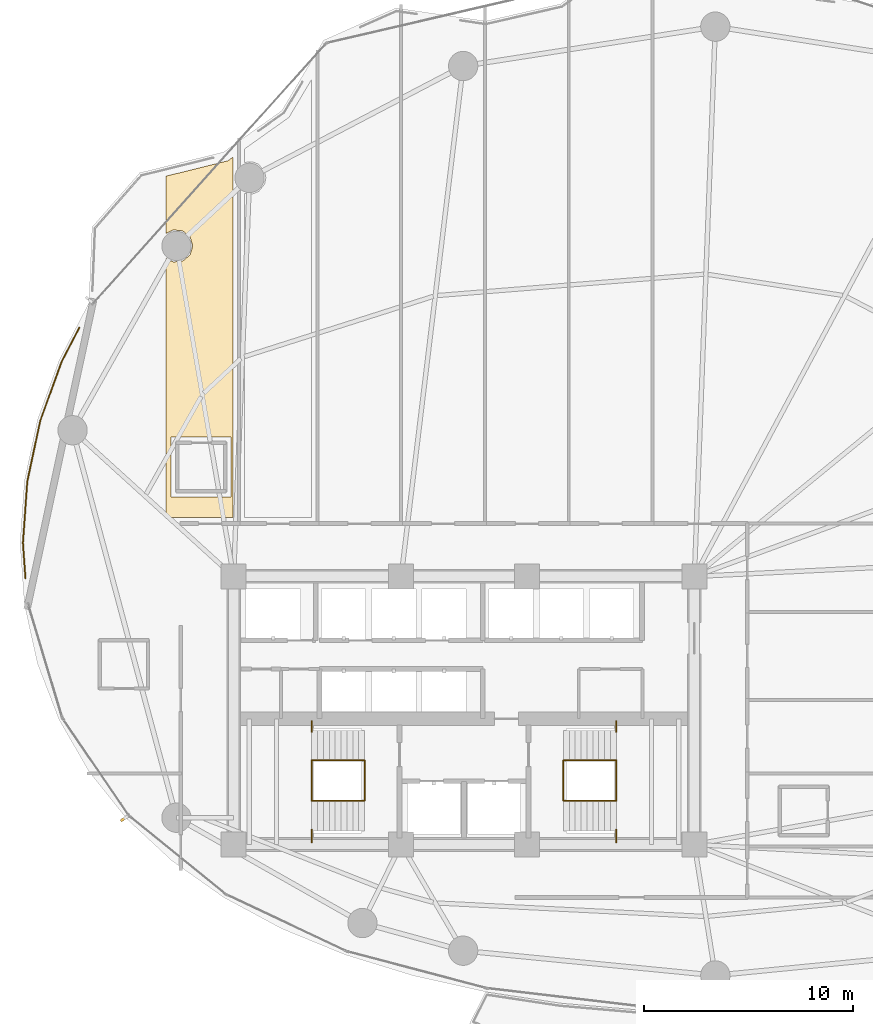
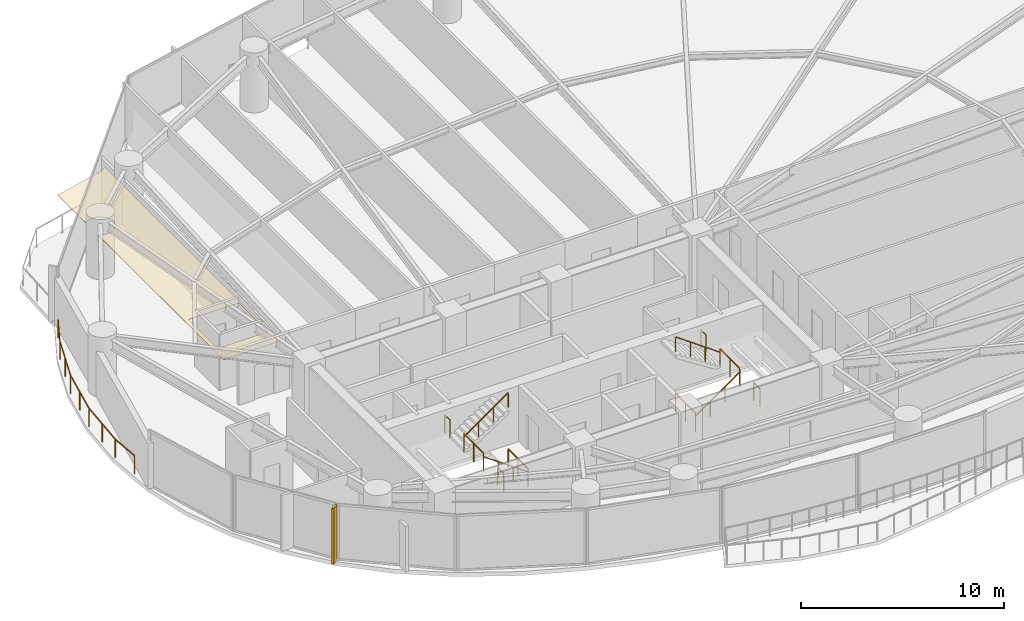
# One storey, part 29 of 31: 13 railings, 1 covering, 1 shading device.
"""IFC4 building model written with IfcOpenShell, lengths in metres."""

import ifcopenshell
import ifcopenshell.guid

model = None  # the IFC model being written
_history = None  # IfcOwnerHistory: only IFC2X3 demands one
_inside = {}  # id of a spatial element -> (the spatial element, [elements in it])
_under = {}  # id of a project, library or spatial element -> (it, [spatial elements below it])
_declared = {}  # id of a project -> (the project, [libraries it declares])
_typed = {}  # id of a type object -> (the type object, [elements of that type])
_made_of = {}  # id of a material, layer set ... -> (it, [elements and type objects made of it])


def new_model(schema):
    """Start an empty IFC model of exactly this schema.

    Asked for "IFC4X3", IfcOpenShell would pick the latest addendum, in which some entities
    have other attributes; the version numbers below select the first issue.
    IFC2X3 requires an IfcOwnerHistory on every rooted entity: one is made here for all.
    """
    global model, _history
    if schema == "IFC4X3":
        model = ifcopenshell.file(schema_version=(4, 3, 0, 0))
    else:
        model = ifcopenshell.file(schema=schema)
    _inside.clear()
    _under.clear()
    _declared.clear()
    _typed.clear()
    _made_of.clear()
    _history = None
    if model.schema == "IFC2X3":
        org = make("IfcOrganization", Name="unknown")
        user = make(
            "IfcPersonAndOrganization",
            ThePerson=make("IfcPerson", FamilyName="unknown"),
            TheOrganization=org,
        )
        app = make(
            "IfcApplication",
            ApplicationDeveloper=org,
            Version="unknown",
            ApplicationFullName="unknown",
            ApplicationIdentifier="unknown",
        )
        _history = make(
            "IfcOwnerHistory",
            OwningUser=user,
            OwningApplication=app,
            ChangeAction="ADDED",
            CreationDate=0,
        )
    return model


def make(cls, **values):
    """One entity of the class cls with the attributes given. An attribute that is None is left unset."""
    return model.create_entity(
        cls, **{name: value for name, value in values.items() if value is not None}
    )


def rooted(cls, **values):
    """An entity with a GlobalId (a new one), such as an element, a storey or a relation."""
    return make(cls, GlobalId=ifcopenshell.guid.new(), OwnerHistory=_history, **values)


def si_unit(unit_type, name, prefix=None):
    """IfcSIUnit, for example si_unit("LENGTHUNIT", "METRE", prefix="MILLI")."""
    return make("IfcSIUnit", UnitType=unit_type, Prefix=prefix, Name=name)


def assignment(units):
    """IfcUnitAssignment: the units of a project."""
    return None if units is None else make("IfcUnitAssignment", Units=units)


def point(xyz):
    """IfcCartesianPoint."""
    return None if xyz is None else make("IfcCartesianPoint", Coordinates=xyz)


def direction(xyz):
    """IfcDirection."""
    return None if xyz is None else make("IfcDirection", DirectionRatios=xyz)


def frame(location, z_axis=None, x_axis=None):
    """IfcAxis2Placement3D, a coordinate frame: its origin and axes. An axis left out is left unset."""
    return make(
        "IfcAxis2Placement3D",
        Location=point(location),
        Axis=direction(z_axis),
        RefDirection=direction(x_axis),
    )


def frame_2d(location, x_axis=None):
    """IfcAxis2Placement2D, a coordinate frame in the plane: its origin and x axis."""
    return make(
        "IfcAxis2Placement2D", Location=point(location), RefDirection=direction(x_axis)
    )


def origin():
    """The frame at (0, 0, 0) with its axes left unset."""
    return frame((0.0, 0.0, 0.0))


def origin_2d():
    """The frame at (0, 0) in the plane with its x axis left unset."""
    return frame_2d((0.0, 0.0))


def place(relative_to, where):
    """IfcLocalPlacement: puts the frame where relative to a parent placement (None: the world)."""
    return make(
        "IfcLocalPlacement", PlacementRelTo=relative_to, RelativePlacement=where
    )


def context(
    kind, dimensions, precision=None, world=None, true_north=None, identifier=None
):
    """IfcGeometricRepresentationContext, for example the 3D "Model" context."""
    return make(
        "IfcGeometricRepresentationContext",
        ContextIdentifier=identifier,
        ContextType=kind,
        CoordinateSpaceDimension=dimensions,
        Precision=precision,
        WorldCoordinateSystem=world,
        TrueNorth=true_north,
    )


def subcontext(parent, identifier, kind, view, scale=None):
    """IfcGeometricRepresentationSubContext, for example "Body" below "Model"."""
    return make(
        "IfcGeometricRepresentationSubContext",
        ContextIdentifier=identifier,
        ContextType=kind,
        ParentContext=parent,
        TargetScale=scale,
        TargetView=view,
    )


def project(units=None, contexts=None):
    """IfcProject with its units and contexts."""
    return rooted(
        "IfcProject",
        Name="project",
        RepresentationContexts=contexts,
        UnitsInContext=assignment(units),
    )


def spatial(cls, under=None, at=None, **own):
    """A site, building, storey or space (cls), placed at a placement, below another one or the project."""
    s = rooted(cls, ObjectPlacement=at, **own)
    if under is not None:
        _under.setdefault(under.id(), (under, []))[1].append(s)
    return s


def polyline(points):
    """IfcPolyline through the points."""
    return make("IfcPolyline", Points=[point(p) for p in points])


def profile(cls, at=None, kind="AREA", **sizes):
    """A parametric profile (cls). Its sizes go by their IFC names, for example OverallWidth=200.0."""
    return make(cls, ProfileType=kind, Position=at, **sizes)


def rectangle(**sizes):
    """IfcRectangleProfileDef."""
    return profile("IfcRectangleProfileDef", **sizes)


def outline(outer, holes=None, kind="AREA"):
    """IfcArbitraryClosedProfileDef: a profile drawn as a closed curve; with holes, ...WithVoids."""
    if holes is None:
        return make("IfcArbitraryClosedProfileDef", ProfileType=kind, OuterCurve=outer)
    return make(
        "IfcArbitraryProfileDefWithVoids",
        ProfileType=kind,
        OuterCurve=outer,
        InnerCurves=holes,
    )


def extrude(swept, where, along, depth):
    """IfcExtrudedAreaSolid: the profile swept, set in the frame where, extruded along a direction by depth."""
    return make(
        "IfcExtrudedAreaSolid",
        SweptArea=swept,
        Position=where,
        ExtrudedDirection=direction(along),
        Depth=depth,
    )


def shape(context_of_items, identifier, shape_type, items):
    """IfcShapeRepresentation: the items that make up one representation, for example the "Body"."""
    return make(
        "IfcShapeRepresentation",
        ContextOfItems=context_of_items,
        RepresentationIdentifier=identifier,
        RepresentationType=shape_type,
        Items=items,
    )


def material(Name=None, Category=None):
    """IfcMaterial."""
    return make("IfcMaterial", Name=Name, Category=Category)


def layer(
    of_material, thickness, ventilated=None, Name=None, Category=None, Priority=None
):
    """IfcMaterialLayer: one layer of a wall or slab, of a material (None: an air gap)."""
    return make(
        "IfcMaterialLayer",
        Material=of_material,
        LayerThickness=thickness,
        IsVentilated=ventilated,
        Name=Name,
        Category=Category,
        Priority=Priority,
    )


def layer_set(layers, Name=None):
    """IfcMaterialLayerSet."""
    return make("IfcMaterialLayerSet", MaterialLayers=layers, LayerSetName=Name)


def made_of(thing, what):
    """Note that an element or type object is made of a material, layer set ...; save() writes the relation."""
    if what is not None:
        _made_of.setdefault(what.id(), (what, []))[1].append(thing)
    return thing


def type_object(cls, material=None, **own):
    """A type object (cls), such as IfcWallType, which elements share."""
    return made_of(rooted(cls, **own), material)


def element(
    cls,
    number,
    at=None,
    inside=None,
    cuts=None,
    type_object=None,
    material=None,
    context=None,
    identifier="Body",
    shape_type=None,
    held_by="IfcProductDefinitionShape",
    body=None,
    shapes=None,
    **own,
):
    """One element of the class cls, such as IfcWall. Its Tag is "e" and its number.

    at: its placement. inside: the storey or other place that contains it. cuts: it is an
    opening in that element (IfcRelVoidsElement). A single representation is given by context,
    identifier, shape_type and body (its items); several are given by shapes. held_by: the class
    of the entity that holds the representations. save() writes the other relations.
    """
    e = rooted(cls, Tag="e%d" % number, ObjectPlacement=at, **own)
    if body is not None:
        shapes = [shape(context, identifier, shape_type, body)]
    if shapes is not None:
        e.Representation = make(held_by, Representations=shapes)
    if inside is not None:
        _inside.setdefault(inside.id(), (inside, []))[1].append(e)
    if cuts is not None:
        rooted(
            "IfcRelVoidsElement", RelatingBuildingElement=cuts, RelatedOpeningElement=e
        )
    if type_object is not None:
        _typed.setdefault(type_object.id(), (type_object, []))[1].append(e)
    return made_of(e, material)


def aggregate(whole, parts):
    """IfcRelAggregates: a whole, such as a stair, and the parts it consists of."""
    return rooted("IfcRelAggregates", RelatingObject=whole, RelatedObjects=parts)


def save(model, path):
    """Write the relations noted so far, then the file.

    IfcRelAggregates (storeys below a building ...), IfcRelContainedInSpatialStructure (elements
    in a storey), IfcRelDefinesByType, IfcRelAssociatesMaterial and IfcRelDeclares: one each for
    every whole, place, type object, material and project.
    """
    for whole, parts in _under.values():
        aggregate(whole, parts)
    for where, things in _inside.values():
        rooted(
            "IfcRelContainedInSpatialStructure",
            RelatedElements=things,
            RelatingStructure=where,
        )
    for kind, things in _typed.values():
        rooted("IfcRelDefinesByType", RelatedObjects=things, RelatingType=kind)
    for what, things in _made_of.values():
        rooted("IfcRelAssociatesMaterial", RelatedObjects=things, RelatingMaterial=what)
    for by, libraries in _declared.values():
        rooted("IfcRelDeclares", RelatingContext=by, RelatedDefinitions=libraries)
    model.write(path)


model = new_model("IFC4")

# Units and contexts
model_context = context("Model", 3, precision=1e-05, world=origin(), true_north=direction((0.0, 1.0)))
body_context = subcontext(model_context, "Body", "Model", "MODEL_VIEW")
ifc_project = project(units=[si_unit("LENGTHUNIT", "METRE"), si_unit("AREAUNIT", "SQUARE_METRE"), si_unit("VOLUMEUNIT", "CUBIC_METRE"), si_unit("PLANEANGLEUNIT", "RADIAN"), si_unit("MASSUNIT", "GRAM", prefix="KILO")], contexts=[model_context])

# Site, building, storey
site_placement = place(None, origin())
site = spatial("IfcSite", under=ifc_project, at=site_placement, CompositionType="ELEMENT")
building_placement = place(site_placement, origin())
building = spatial("IfcBuilding", under=site, at=building_placement, Name="Kazevale Care Tower and Concert Hall", CompositionType="ELEMENT")
storey_placement = place(building_placement, frame((0.0, 0.0, 78.0)))
storey = spatial("IfcBuildingStorey", under=building, at=storey_placement, Name="L20", CompositionType="ELEMENT", Elevation=78.0)

# Covering
ifc_material_1 = material(Name="Acoustic Plaster and Hinoki Wood", Category="wood")
ifc_layer = layer(ifc_material_1, 0.0400390625)
ifc_layer_set = layer_set([ifc_layer], Name="Acoustic Plaster and Hinoki Wood")
covering_type = type_object("IfcCoveringType", Name="Acoustic Perforated Wood-Gypsum Ceiling", PredefinedType="CEILING", material=ifc_layer_set)
covering_placement = place(storey_placement, frame((0.0, 0.0, 2.7099609375)))
element("IfcCovering", 1, at=covering_placement, inside=storey, type_object=covering_type, Name="clg:L20:1", PredefinedType="CEILING", context=body_context, shape_type="SweptSolid", body=[
    extrude(outline(polyline([(21.969970703125, 56.419921875), (21.969970703125, 39.205078125), (18.780029296875, 39.205078125), (18.780029296875, 51.577880859375), (19.117919921875, 51.4150390625), (19.568115234375, 51.458984375), (19.9189453125, 51.7470703125), (20.050048828125, 52.179931640625), (19.9189453125, 52.613037109375), (19.568115234375, 52.90087890625), (19.117919921875, 52.945068359375), (18.780029296875, 52.781982421875), (18.780029296875, 55.513916015625), (21.718994140625, 56.241943359375), (21.969970703125, 56.419921875)]), holes=[polyline([(19.02001953125, 43.054931640625), (19.02001953125, 40.195068359375), (21.8798828125, 40.195068359375), (21.8798828125, 43.054931640625), (19.02001953125, 43.054931640625)])]), origin(), (0.0, 0.0, 1.0), 0.0400390625),
])

# Railings
ifc_material_2 = material(Name="Anodised Bronze Aluminium and Laminated Glass", Category="aluminium")
railing_type_1 = type_object("IfcRailingType", Name="Balcony and Terrace Balustrade 1120", PredefinedType="BALUSTRADE", material=ifc_material_2)
railing_1_placement = place(storey_placement, frame((12.06005859375, 36.31103515625, 0.0)))
element("IfcRailing", 2, at=railing_1_placement, inside=storey, type_object=railing_type_1, Name="rail:L20:perim:1", PredefinedType="BALUSTRADE", context=body_context, shape_type="SweptSolid", body=[
    extrude(rectangle(XDim=0.048095703125, YDim=0.048095703125, at=origin_2d()), frame((0.0, 0.0, 1.09619140625), z_axis=(-0.070939644406, 0.997480609762, 0.0), x_axis=(-0.997480609762, -0.070939644406, 0.0)), (0.0, 0.0, 1.0), 1.693115234375),
    extrude(rectangle(XDim=0.048095703125, YDim=0.048095703125, at=origin_2d()), frame((-0.1201171875, 1.68896484375, 1.09619140625), z_axis=(0.070669368456, 0.997499794668, 0.0), x_axis=(-0.997499794668, 0.070669368456, 0.0)), (0.0, 0.0, 1.0), 2.943359375),
    extrude(rectangle(XDim=0.048095703125, YDim=0.048095703125, at=origin_2d()), frame((0.087890625, 4.625, 1.09619140625), z_axis=(0.208798068262, 0.977958775558, 0.0), x_axis=(-0.977958775558, 0.208798068262, 0.0)), (0.0, 0.0, 1.0), 2.96533203125),
    extrude(rectangle(XDim=0.048095703125, YDim=0.048095703125, at=origin_2d()), frame((0.70703125, 7.52490234375, 1.09619140625), z_axis=(0.340817262657, 0.940129562069, 0.0), x_axis=(-0.940129562069, 0.340817262657, 0.0)), (0.0, 0.0, 1.0), 3.007080078125),
    extrude(rectangle(XDim=0.048095703125, YDim=0.048095703125, at=origin_2d()), frame((1.73193359375, 10.35205078125, 1.09619140625), z_axis=(0.461849030606, 0.886958551979, 0.0), x_axis=(-0.886958551979, 0.461849030606, 0.0)), (0.0, 0.0, 1.0), 1.827392578125),
    extrude(rectangle(XDim=0.0419921875, YDim=0.0419921875, at=origin_2d()), origin(), (0.0, 0.0, 1.0), 1.072021484375),
    extrude(rectangle(XDim=0.0419921875, YDim=0.0419921875, at=origin_2d()), frame((-0.1201171875, 1.68896484375, 0.0)), (0.0, 0.0, 1.0), 1.072021484375),
    extrude(rectangle(XDim=0.0419921875, YDim=0.0419921875, at=origin_2d()), frame((-0.01611328125, 3.156982421875, 0.0)), (0.0, 0.0, 1.0), 1.072021484375),
    extrude(rectangle(XDim=0.0419921875, YDim=0.0419921875, at=origin_2d()), frame((0.087890625, 4.625, 0.0)), (0.0, 0.0, 1.0), 1.072021484375),
    extrude(rectangle(XDim=0.0419921875, YDim=0.0419921875, at=origin_2d()), frame((0.3974609375, 6.074951171875, 0.0)), (0.0, 0.0, 1.0), 1.072021484375),
    extrude(rectangle(XDim=0.0419921875, YDim=0.0419921875, at=origin_2d()), frame((0.70703125, 7.52490234375, 0.0)), (0.0, 0.0, 1.0), 1.072021484375),
    extrude(rectangle(XDim=0.0419921875, YDim=0.0419921875, at=origin_2d()), frame((1.219482421875, 8.9384765625, 0.0)), (0.0, 0.0, 1.0), 1.072021484375),
    extrude(rectangle(XDim=0.0419921875, YDim=0.0419921875, at=origin_2d()), frame((1.73193359375, 10.35205078125, 0.0)), (0.0, 0.0, 1.0), 1.072021484375),
    extrude(rectangle(XDim=0.0419921875, YDim=0.0419921875, at=origin_2d()), frame((2.575927734375, 11.972900390625, 0.0)), (0.0, 0.0, 1.0), 1.072021484375),
])
ifc_material_3 = material(Name="Stainless Steel 316", Category="steel")
railing_type_2 = type_object("IfcRailingType", Name="Stair Pitch Handrail 920", PredefinedType="HANDRAIL", material=ifc_material_3)
railing_2_placement = place(storey_placement, frame((28.25, 25.679931640625, 0.0)))
element("IfcRailing", 3, at=railing_2_placement, inside=storey, type_object=railing_type_2, Name="stair:L20:ST1:hr1", PredefinedType="HANDRAIL", context=body_context, shape_type="SweptSolid", body=[
    extrude(rectangle(XDim=0.048095703125, YDim=0.048095703125, at=origin_2d()), frame((0.0, 0.0, 0.89599609375), z_axis=(-0.813728144527, 0.0, 0.581245650998), x_axis=(0.0, -1.0, 0.0)), (0.0, 0.0, 1.0), 3.096923828125),
    extrude(rectangle(XDim=0.0419921875, YDim=0.0419921875, at=origin_2d()), origin(), (0.0, 0.0, 1.0), 0.871826171875),
    extrude(rectangle(XDim=0.0419921875, YDim=0.0419921875, at=origin_2d()), frame((-0.840087890625, 0.0, 0.60009765625)), (0.0, 0.0, 1.0), 0.871826171875),
    extrude(rectangle(XDim=0.0419921875, YDim=0.0419921875, at=origin_2d()), frame((-1.679931640625, 0.0, 1.199951171875)), (0.0, 0.0, 1.0), 0.871826171875),
    extrude(rectangle(XDim=0.0419921875, YDim=0.0419921875, at=origin_2d()), frame((-2.52001953125, 0.0, 1.800048828125)), (0.0, 0.0, 1.0), 0.871826171875),
])
for number, where, name in (
    (4, (25.72998046875, 27.6201171875, 1.800048828125), "stair:L20:ST1:hr2"),
    (5, (37.75, 25.679931640625, 0.0), "stair:L20:ST2:hr1"),
):
    element("IfcRailing", number, at=place(storey_placement, frame(where)), inside=storey, type_object=railing_type_2, Name=name, PredefinedType="HANDRAIL", context=body_context, shape_type="SweptSolid", body=[
        extrude(rectangle(XDim=0.048095703125, YDim=0.048095703125, at=origin_2d()), frame((0.0, 0.0, 0.89599609375), z_axis=(0.813728144527, 0.0, 0.581245650998), x_axis=(0.0, 1.0, 0.0)), (0.0, 0.0, 1.0), 3.096923828125),
        extrude(rectangle(XDim=0.0419921875, YDim=0.0419921875, at=origin_2d()), origin(), (0.0, 0.0, 1.0), 0.871826171875),
        extrude(rectangle(XDim=0.0419921875, YDim=0.0419921875, at=origin_2d()), frame((0.840087890625, 0.0, 0.60009765625)), (0.0, 0.0, 1.0), 0.871826171875),
        extrude(rectangle(XDim=0.0419921875, YDim=0.0419921875, at=origin_2d()), frame((1.679931640625, 0.0, 1.199951171875)), (0.0, 0.0, 1.0), 0.871826171875),
        extrude(rectangle(XDim=0.0419921875, YDim=0.0419921875, at=origin_2d()), frame((2.52001953125, 0.0, 1.800048828125)), (0.0, 0.0, 1.0), 0.871826171875),
    ])
railing_3_placement = place(storey_placement, frame((40.27001953125, 27.6201171875, 1.800048828125)))
element("IfcRailing", 6, at=railing_3_placement, inside=storey, type_object=railing_type_2, Name="stair:L20:ST2:hr2", PredefinedType="HANDRAIL", context=body_context, shape_type="SweptSolid", body=[
    extrude(rectangle(XDim=0.048095703125, YDim=0.048095703125, at=origin_2d()), frame((0.0, 0.0, 0.89599609375), z_axis=(-0.813728144527, 0.0, 0.581245650998), x_axis=(0.0, -1.0, 0.0)), (0.0, 0.0, 1.0), 3.096923828125),
    extrude(rectangle(XDim=0.0419921875, YDim=0.0419921875, at=origin_2d()), origin(), (0.0, 0.0, 1.0), 0.871826171875),
    extrude(rectangle(XDim=0.0419921875, YDim=0.0419921875, at=origin_2d()), frame((-0.840087890625, 0.0, 0.60009765625)), (0.0, 0.0, 1.0), 0.871826171875),
    extrude(rectangle(XDim=0.0419921875, YDim=0.0419921875, at=origin_2d()), frame((-1.679931640625, 0.0, 1.199951171875)), (0.0, 0.0, 1.0), 0.871826171875),
    extrude(rectangle(XDim=0.0419921875, YDim=0.0419921875, at=origin_2d()), frame((-2.52001953125, 0.0, 1.800048828125)), (0.0, 0.0, 1.0), 0.871826171875),
])
railing_type_3 = type_object("IfcRailingType", Name="Stair Well Guard Balustrade 1120", PredefinedType="BALUSTRADE", material=ifc_material_3)
railing_4_placement = place(storey_placement, frame((25.72998046875, 23.699951171875, 1.800048828125)))
element("IfcRailing", 7, at=railing_4_placement, inside=storey, type_object=railing_type_3, Name="stair:L20:ST1:grd_side1", PredefinedType="BALUSTRADE", context=body_context, shape_type="SweptSolid", body=[
    extrude(rectangle(XDim=0.048095703125, YDim=0.048095703125, at=origin_2d()), frame((0.0, 0.0, 1.09619140625), z_axis=(0.0, 1.0, 0.0), x_axis=(-1.0, 0.0, 0.0)), (0.0, 0.0, 1.0), 0.610107421875),
    extrude(rectangle(XDim=0.0419921875, YDim=0.0419921875, at=origin_2d()), origin(), (0.0, 0.0, 1.0), 1.072021484375),
    extrude(rectangle(XDim=0.0419921875, YDim=0.0419921875, at=origin_2d()), frame((0.0, 0.610107421875, 0.0)), (0.0, 0.0, 1.0), 1.072021484375),
])
railing_5_placement = place(storey_placement, frame((25.72998046875, 28.989990234375, 1.800048828125)))
element("IfcRailing", 8, at=railing_5_placement, inside=storey, type_object=railing_type_3, Name="stair:L20:ST1:grd_side2", PredefinedType="BALUSTRADE", context=body_context, shape_type="SweptSolid", body=[
    extrude(rectangle(XDim=0.048095703125, YDim=0.048095703125, at=origin_2d()), frame((0.0, 0.0, 1.09619140625), z_axis=(0.0, 1.0, 0.0), x_axis=(-1.0, 0.0, 0.0)), (0.0, 0.0, 1.0), 0.510009765625),
    extrude(rectangle(XDim=0.0419921875, YDim=0.0419921875, at=origin_2d()), origin(), (0.0, 0.0, 1.0), 1.072021484375),
    extrude(rectangle(XDim=0.0419921875, YDim=0.0419921875, at=origin_2d()), frame((0.0, 0.510009765625, 0.0)), (0.0, 0.0, 1.0), 1.072021484375),
])
for number, where, name in (
    (9, (25.72998046875, 25.679931640625, 1.800048828125), "stair:L20:ST1:grd_mid"),
    (10, (28.25, 25.679931640625, 0.0), "stair:L20:ST1:grd_flr"),
):
    element("IfcRailing", number, at=place(storey_placement, frame(where)), inside=storey, type_object=railing_type_3, Name=name, PredefinedType="BALUSTRADE", context=body_context, shape_type="SweptSolid", body=[
        extrude(rectangle(XDim=0.048095703125, YDim=0.048095703125, at=origin_2d()), frame((0.0, 0.0, 1.09619140625), z_axis=(0.0, 1.0, 0.0), x_axis=(-1.0, 0.0, 0.0)), (0.0, 0.0, 1.0), 1.940185546875),
        extrude(rectangle(XDim=0.0419921875, YDim=0.0419921875, at=origin_2d()), origin(), (0.0, 0.0, 1.0), 1.072021484375),
        extrude(rectangle(XDim=0.0419921875, YDim=0.0419921875, at=origin_2d()), frame((0.0, 0.97021484375, 0.0)), (0.0, 0.0, 1.0), 1.072021484375),
        extrude(rectangle(XDim=0.0419921875, YDim=0.0419921875, at=origin_2d()), frame((0.0, 1.940185546875, 0.0)), (0.0, 0.0, 1.0), 1.072021484375),
    ])
railing_6_placement = place(storey_placement, frame((40.27001953125, 23.699951171875, 1.800048828125)))
element("IfcRailing", 11, at=railing_6_placement, inside=storey, type_object=railing_type_3, Name="stair:L20:ST2:grd_side1", PredefinedType="BALUSTRADE", context=body_context, shape_type="SweptSolid", body=[
    extrude(rectangle(XDim=0.048095703125, YDim=0.048095703125, at=origin_2d()), frame((0.0, 0.0, 1.09619140625), z_axis=(0.0, 1.0, 0.0), x_axis=(-1.0, 0.0, 0.0)), (0.0, 0.0, 1.0), 0.610107421875),
    extrude(rectangle(XDim=0.0419921875, YDim=0.0419921875, at=origin_2d()), origin(), (0.0, 0.0, 1.0), 1.072021484375),
    extrude(rectangle(XDim=0.0419921875, YDim=0.0419921875, at=origin_2d()), frame((0.0, 0.610107421875, 0.0)), (0.0, 0.0, 1.0), 1.072021484375),
])
railing_7_placement = place(storey_placement, frame((40.27001953125, 28.989990234375, 1.800048828125)))
element("IfcRailing", 12, at=railing_7_placement, inside=storey, type_object=railing_type_3, Name="stair:L20:ST2:grd_side2", PredefinedType="BALUSTRADE", context=body_context, shape_type="SweptSolid", body=[
    extrude(rectangle(XDim=0.048095703125, YDim=0.048095703125, at=origin_2d()), frame((0.0, 0.0, 1.09619140625), z_axis=(0.0, 1.0, 0.0), x_axis=(-1.0, 0.0, 0.0)), (0.0, 0.0, 1.0), 0.510009765625),
    extrude(rectangle(XDim=0.0419921875, YDim=0.0419921875, at=origin_2d()), origin(), (0.0, 0.0, 1.0), 1.072021484375),
    extrude(rectangle(XDim=0.0419921875, YDim=0.0419921875, at=origin_2d()), frame((0.0, 0.510009765625, 0.0)), (0.0, 0.0, 1.0), 1.072021484375),
])
for number, where, name in (
    (13, (40.27001953125, 25.679931640625, 1.800048828125), "stair:L20:ST2:grd_mid"),
    (14, (37.75, 25.679931640625, 0.0), "stair:L20:ST2:grd_flr"),
):
    element("IfcRailing", number, at=place(storey_placement, frame(where)), inside=storey, type_object=railing_type_3, Name=name, PredefinedType="BALUSTRADE", context=body_context, shape_type="SweptSolid", body=[
        extrude(rectangle(XDim=0.048095703125, YDim=0.048095703125, at=origin_2d()), frame((0.0, 0.0, 1.09619140625), z_axis=(0.0, 1.0, 0.0), x_axis=(-1.0, 0.0, 0.0)), (0.0, 0.0, 1.0), 1.940185546875),
        extrude(rectangle(XDim=0.0419921875, YDim=0.0419921875, at=origin_2d()), origin(), (0.0, 0.0, 1.0), 1.072021484375),
        extrude(rectangle(XDim=0.0419921875, YDim=0.0419921875, at=origin_2d()), frame((0.0, 0.97021484375, 0.0)), (0.0, 0.0, 1.0), 1.072021484375),
        extrude(rectangle(XDim=0.0419921875, YDim=0.0419921875, at=origin_2d()), frame((0.0, 1.940185546875, 0.0)), (0.0, 0.0, 1.0), 1.072021484375),
    ])

# Shading device
ifc_material_4 = material(Name="Honed Ochre Limestone", Category="masonry")
shading_device_type = type_object("IfcShadingDeviceType", Name="Vertical Honed Limestone Fin FIN-01", PredefinedType="USERDEFINED", material=ifc_material_4)
shading_device_placement = place(storey_placement, frame((16.7705078125, 24.83447265625, 0.0), z_axis=(0.0, 0.0, 1.0), x_axis=(-0.825999928064, -0.563670221706, 0.0)))
element("IfcShadingDevice", 15, at=shading_device_placement, inside=storey, type_object=shading_device_type, Name="cw:L20:f11:fin", ObjectType="FIN", PredefinedType="USERDEFINED", context=body_context, shape_type="SweptSolid", body=[
    extrude(rectangle(XDim=0.3798828125, YDim=0.1201171875, at=origin_2d()), origin(), (0.0, 0.0, 1.0), 3.360107421875),
])

save(model, "model.ifc")
